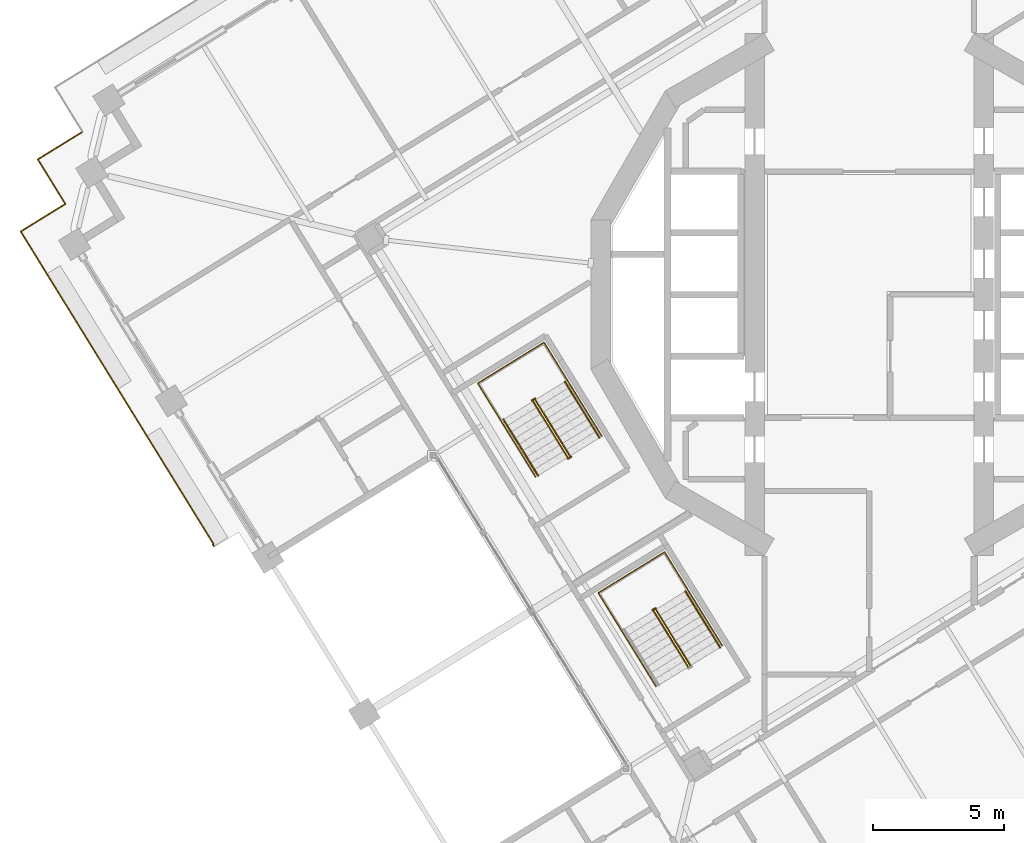
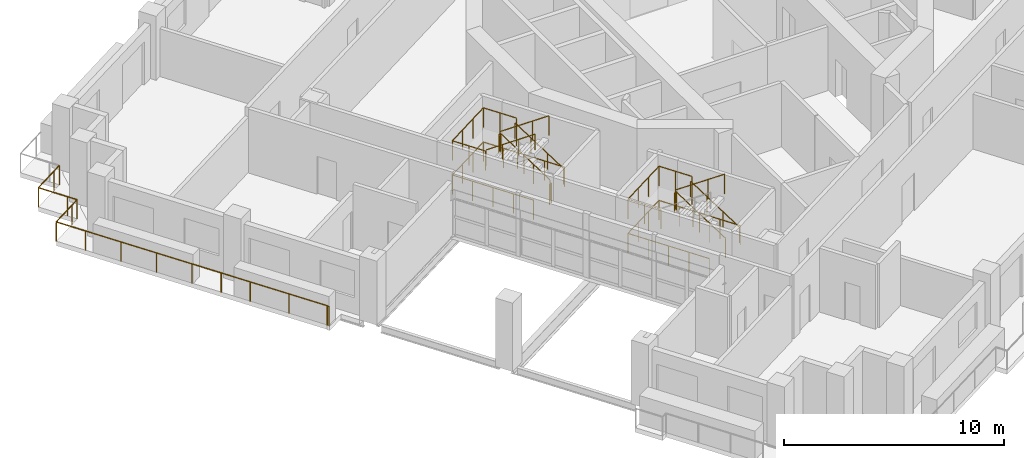
# One storey, part 16 of 22: 13 railings.
"""IFC4 building model written with IfcOpenShell, lengths in metres."""

from ifc_helpers import new_model, si_unit, direction, frame, origin, origin_2d, place, context, subcontext, project, spatial, circle, extrude, material, type_object, element, save


model = new_model("IFC4")

# Units and contexts
model_context = context("Model", 3, precision=1e-05, world=origin(), true_north=direction((0.0, 1.0)))
body_context = subcontext(model_context, "Body", "Model", "MODEL_VIEW")
ifc_project = project(units=[si_unit("LENGTHUNIT", "METRE"), si_unit("AREAUNIT", "SQUARE_METRE"), si_unit("VOLUMEUNIT", "CUBIC_METRE"), si_unit("PLANEANGLEUNIT", "RADIAN"), si_unit("MASSUNIT", "GRAM", prefix="KILO")], contexts=[model_context])

# Site, building, storey
site_placement = place(None, origin())
site = spatial("IfcSite", under=ifc_project, at=site_placement, CompositionType="ELEMENT")
building_placement = place(site_placement, origin())
building = spatial("IfcBuilding", under=site, at=building_placement, Name="Cantera Rosa Tower", CompositionType="ELEMENT")
storey_placement = place(building_placement, frame((0.0, 0.0, 166.60009765625)))
storey = spatial("IfcBuildingStorey", under=building, at=storey_placement, Name="L36", CompositionType="ELEMENT", Elevation=166.60009765625)

# Railings
ifc_material_1 = material(Name="Stainless steel and laminated glass", Category="steel")
railing_type_1 = type_object("IfcRailingType", Name="GUARD 1100", PredefinedType="BALUSTRADE", material=ifc_material_1)
railing_1_placement = place(storey_placement, frame((-25.004150390625, -9.61865234375, 0.0)))
element("IfcRailing", 1, at=railing_1_placement, inside=storey, type_object=railing_type_1, Name="GUARD L36-4", PredefinedType="BALUSTRADE", context=body_context, shape_type="SweptSolid", body=[
    extrude(circle(Radius=0.030029296875, at=origin_2d()), frame((0.0, 0.0, 1.070068359375), z_axis=(-0.524771895301, 0.851242890074, 0.0), x_axis=(-0.851242890074, -0.524771895301, 0.0)), (0.0, 0.0, 1.0), 0.10107421875),
    extrude(circle(Radius=0.030029296875, at=origin_2d()), frame((-0.052978515625, 0.0859375, 1.070068359375), z_axis=(0.849761711822, 0.52716698789, 0.0), x_axis=(-0.52716698789, 0.849761711822, 0.0)), (0.0, 0.0, 1.0), 0.031005859375),
    extrude(circle(Radius=0.030029296875, at=origin_2d()), frame((-0.026611328125, 0.102294921875, 1.070068359375), z_axis=(-0.525005464251, 0.851098855896, 0.0), x_axis=(-0.851098855896, -0.525005464251, 0.0)), (0.0, 0.0, 1.0), 3.989013671875),
    extrude(circle(Radius=0.030029296875, at=origin_2d()), frame((-2.120849609375, 3.497314453125, 1.070068359375), z_axis=(-0.524964362564, 0.851124208349, 0.0), x_axis=(-0.851124208349, -0.524964362564, 0.0)), (0.0, 0.0, 1.0), 3.0),
    extrude(circle(Radius=0.030029296875, at=origin_2d()), frame((-3.69580078125, 6.05078125, 1.070068359375), z_axis=(-0.524968277683, 0.851121793533, 0.0), x_axis=(-0.851121793533, -0.524968277683, 0.0)), (0.0, 0.0, 1.0), 5.519775390625),
    extrude(circle(Radius=0.030029296875, at=origin_2d()), frame((-6.593505859375, 10.748779296875, 1.070068359375), z_axis=(-0.524986950369, 0.851110276017, 0.0), x_axis=(-0.851110276017, -0.524986950369, 0.0)), (0.0, 0.0, 1.0), 1.500244140625),
    extrude(circle(Radius=0.030029296875, at=origin_2d()), frame((-7.381103515625, 12.025634765625, 1.070068359375), z_axis=(0.85118298814, 0.524869051004, 0.0), x_axis=(-0.524869051004, 0.85118298814, 0.0)), (0.0, 0.0, 1.0), 1.5),
    extrude(circle(Radius=0.030029296875, at=origin_2d()), frame((-6.104248046875, 12.81298828125, 1.070068359375), z_axis=(0.851138143202, 0.52494176933, 0.0), x_axis=(-0.52494176933, 0.851138143202, 0.0)), (0.0, 0.0, 1.0), 0.5),
    extrude(circle(Radius=0.030029296875, at=origin_2d()), frame((-5.6787109375, 13.075439453125, 1.070068359375), z_axis=(-0.52494176933, 0.851138143202, 0.0), x_axis=(-0.851138143202, -0.52494176933, 0.0)), (0.0, 0.0, 1.0), 0.5),
    extrude(circle(Radius=0.030029296875, at=origin_2d()), frame((-5.941162109375, 13.5009765625, 1.070068359375), z_axis=(-0.524986950369, 0.851110276017, 0.0), x_axis=(-0.851110276017, -0.524986950369, 0.0)), (0.0, 0.0, 1.0), 1.500244140625),
    extrude(circle(Radius=0.030029296875, at=origin_2d()), frame((-6.728759765625, 14.77783203125, 1.070068359375), z_axis=(0.851138143202, 0.52494176933, 0.0), x_axis=(-0.52494176933, 0.851138143202, 0.0)), (0.0, 0.0, 1.0), 1.5),
    extrude(circle(Radius=0.030029296875, at=origin_2d()), frame((-5.4521484375, 15.565185546875, 1.070068359375), z_axis=(0.851138143202, 0.52494176933, 0.0), x_axis=(-0.52494176933, 0.851138143202, 0.0)), (0.0, 0.0, 1.0), 0.5),
    extrude(circle(Radius=0.02490234375, at=origin_2d()), origin(), (0.0, 0.0, 1.0), 1.0400390625),
    extrude(circle(Radius=0.02490234375, at=origin_2d()), frame((-0.052978515625, 0.0859375, 0.0)), (0.0, 0.0, 1.0), 1.0400390625),
    extrude(circle(Radius=0.02490234375, at=origin_2d()), frame((-0.026611328125, 0.102294921875, 0.0)), (0.0, 0.0, 1.0), 1.0400390625),
    extrude(circle(Radius=0.02490234375, at=origin_2d()), frame((-1.07373046875, 1.7998046875, 0.0)), (0.0, 0.0, 1.0), 1.0400390625),
    extrude(circle(Radius=0.02490234375, at=origin_2d()), frame((-2.120849609375, 3.497314453125, 0.0)), (0.0, 0.0, 1.0), 1.0400390625),
    extrude(circle(Radius=0.02490234375, at=origin_2d()), frame((-2.908203125, 4.77392578125, 0.0)), (0.0, 0.0, 1.0), 1.0400390625),
    extrude(circle(Radius=0.02490234375, at=origin_2d()), frame((-3.69580078125, 6.05078125, 0.0)), (0.0, 0.0, 1.0), 1.0400390625),
    extrude(circle(Radius=0.02490234375, at=origin_2d()), frame((-4.66162109375, 7.61669921875, 0.0)), (0.0, 0.0, 1.0), 1.0400390625),
    extrude(circle(Radius=0.02490234375, at=origin_2d()), frame((-5.627685546875, 9.182861328125, 0.0)), (0.0, 0.0, 1.0), 1.0400390625),
    extrude(circle(Radius=0.02490234375, at=origin_2d()), frame((-6.593505859375, 10.748779296875, 0.0)), (0.0, 0.0, 1.0), 1.0400390625),
    extrude(circle(Radius=0.02490234375, at=origin_2d()), frame((-7.381103515625, 12.025634765625, 0.0)), (0.0, 0.0, 1.0), 1.0400390625),
    extrude(circle(Radius=0.02490234375, at=origin_2d()), frame((-6.104248046875, 12.81298828125, 0.0)), (0.0, 0.0, 1.0), 1.0400390625),
    extrude(circle(Radius=0.02490234375, at=origin_2d()), frame((-5.6787109375, 13.075439453125, 0.0)), (0.0, 0.0, 1.0), 1.0400390625),
    extrude(circle(Radius=0.02490234375, at=origin_2d()), frame((-5.941162109375, 13.5009765625, 0.0)), (0.0, 0.0, 1.0), 1.0400390625),
    extrude(circle(Radius=0.02490234375, at=origin_2d()), frame((-6.728759765625, 14.77783203125, 0.0)), (0.0, 0.0, 1.0), 1.0400390625),
    extrude(circle(Radius=0.02490234375, at=origin_2d()), frame((-5.4521484375, 15.565185546875, 0.0)), (0.0, 0.0, 1.0), 1.0400390625),
    extrude(circle(Radius=0.02490234375, at=origin_2d()), frame((-5.026611328125, 15.82763671875, 0.0)), (0.0, 0.0, 1.0), 1.0400390625),
])
ifc_material_2 = material(Name="Steel S355J2 (EN 10025-2)", Category="steel")
railing_type_2 = type_object("IfcRailingType", Name="STAIR GUARD 1100", PredefinedType="GUARDRAIL", material=ifc_material_2)
railing_2_placement = place(storey_placement, frame((-11.42333984375, -6.165771484375, 0.18994140625)))
element("IfcRailing", 2, at=railing_2_placement, inside=storey, type_object=railing_type_2, Name="L36 ST-32 stair guard 1", PredefinedType="GUARDRAIL", context=body_context, shape_type="SweptSolid", body=[
    extrude(circle(Radius=0.02392578125, at=origin_2d()), frame((0.0, 0.0, 1.076171875), z_axis=(-0.434427613125, 0.704271375033, 0.561493080334), x_axis=(-0.851102330005, -0.524999832248, 0.0)), (0.0, 0.0, 1.0), 3.04541015625),
    extrude(circle(Radius=0.02392578125, at=origin_2d()), frame((-1.322998046875, 2.144775390625, 2.7861328125), z_axis=(-0.073711968402, 0.997279572494, 0.0), x_axis=(-0.997279572494, -0.073711968402, 0.0)), (0.0, 0.0, 1.0), 0.056396484375),
    extrude(circle(Radius=0.02392578125, at=origin_2d()), frame((-1.3271484375, 2.200927734375, 2.7861328125), z_axis=(-0.851546489876, -0.524279100842, 0.0), x_axis=(0.524279100842, -0.851546489876, 0.0)), (0.0, 0.0, 1.0), 0.14990234375),
    extrude(circle(Radius=0.02099609375, at=origin_2d()), origin(), (0.0, 0.0, 1.0), 1.052001953125),
    extrude(circle(Radius=0.02099609375, at=origin_2d()), frame((-0.44091796875, 0.71484375, 0.570068359375)), (0.0, 0.0, 1.0), 1.052001953125),
    extrude(circle(Radius=0.02099609375, at=origin_2d()), frame((-0.882080078125, 1.429931640625, 1.139892578125)), (0.0, 0.0, 1.0), 1.052001953125),
    extrude(circle(Radius=0.02099609375, at=origin_2d()), frame((-1.322998046875, 2.144775390625, 1.7099609375)), (0.0, 0.0, 1.0), 1.052001953125),
    extrude(circle(Radius=0.02099609375, at=origin_2d()), frame((-1.3271484375, 2.200927734375, 1.7099609375)), (0.0, 0.0, 1.0), 1.052001953125),
    extrude(circle(Radius=0.02099609375, at=origin_2d()), frame((-1.454833984375, 2.122314453125, 1.7099609375)), (0.0, 0.0, 1.0), 1.052001953125),
])
railing_3_placement = place(storey_placement, frame((-12.82958984375, -4.072509765625, 2.08984375)))
element("IfcRailing", 3, at=railing_3_placement, inside=storey, type_object=railing_type_2, Name="L36 ST-32 stair guard 2", PredefinedType="GUARDRAIL", context=body_context, shape_type="SweptSolid", body=[
    extrude(circle(Radius=0.02392578125, at=origin_2d()), frame((0.0, 0.0, 1.076171875), z_axis=(0.434362572038, -0.70429590169, 0.561512634654), x_axis=(0.851145618652, 0.524929648476, 0.0)), (0.0, 0.0, 1.0), 3.045166015625),
    extrude(circle(Radius=0.02099609375, at=origin_2d()), origin(), (0.0, 0.0, 1.0), 1.052001953125),
    extrude(circle(Radius=0.02099609375, at=origin_2d()), frame((0.44091796875, -0.71484375, 0.570068359375)), (0.0, 0.0, 1.0), 1.052001953125),
    extrude(circle(Radius=0.02099609375, at=origin_2d()), frame((0.8818359375, -1.429931640625, 1.139892578125)), (0.0, 0.0, 1.0), 1.052001953125),
    extrude(circle(Radius=0.02099609375, at=origin_2d()), frame((1.32275390625, -2.144775390625, 1.7099609375)), (0.0, 0.0, 1.0), 1.052001953125),
])
railing_4_placement = place(storey_placement, frame((-11.375, -6.19482421875, 0.0)))
element("IfcRailing", 4, at=railing_4_placement, inside=storey, type_object=railing_type_2, Name="L36 ST-32 stair guard 3", PredefinedType="GUARDRAIL", context=body_context, shape_type="SweptSolid", body=[
    extrude(circle(Radius=0.02392578125, at=origin_2d()), frame((0.0, 0.0, 1.076171875), z_axis=(-0.851546489876, -0.524279100842, 0.0), x_axis=(0.524279100842, -0.851546489876, 0.0)), (0.0, 0.0, 1.0), 0.14990234375),
    extrude(circle(Radius=0.02099609375, at=origin_2d()), origin(), (0.0, 0.0, 1.0), 1.052001953125),
    extrude(circle(Radius=0.02099609375, at=origin_2d()), frame((-0.127685546875, -0.07861328125, 0.0)), (0.0, 0.0, 1.0), 1.052001953125),
])
railing_5_placement = place(storey_placement, frame((-10.20751953125, -5.40185546875, 0.0)))
element("IfcRailing", 5, at=railing_5_placement, inside=storey, type_object=railing_type_2, Name="L36 ST-32 stair guard 4", PredefinedType="GUARDRAIL", context=body_context, shape_type="SweptSolid", body=[
    extrude(circle(Radius=0.02392578125, at=origin_2d()), frame((0.0, 0.0, 1.076171875), z_axis=(-0.524976478809, 0.851116735059, 0.0), x_axis=(-0.851116735059, -0.524976478809, 0.0)), (0.0, 0.0, 1.0), 4.197998046875),
    extrude(circle(Radius=0.02392578125, at=origin_2d()), frame((-2.203857421875, 3.572998046875, 1.076171875), z_axis=(-0.851132917336, -0.524950242429, 0.0), x_axis=(0.524950242429, -0.851132917336, 0.0)), (0.0, 0.0, 1.0), 2.969970703125),
    extrude(circle(Radius=0.02392578125, at=origin_2d()), frame((-4.731689453125, 2.013916015625, 1.076171875), z_axis=(0.524976478809, -0.851116735059, 0.0), x_axis=(0.851116735059, 0.524976478809, 0.0)), (0.0, 0.0, 1.0), 4.197998046875),
    extrude(circle(Radius=0.02099609375, at=origin_2d()), origin(), (0.0, 0.0, 1.0), 1.052001953125),
    extrude(circle(Radius=0.02099609375, at=origin_2d()), frame((-0.551025390625, 0.893310546875, 0.0)), (0.0, 0.0, 1.0), 1.052001953125),
    extrude(circle(Radius=0.02099609375, at=origin_2d()), frame((-1.10205078125, 1.78662109375, 0.0)), (0.0, 0.0, 1.0), 1.052001953125),
    extrude(circle(Radius=0.02099609375, at=origin_2d()), frame((-1.65283203125, 2.6796875, 0.0)), (0.0, 0.0, 1.0), 1.052001953125),
    extrude(circle(Radius=0.02099609375, at=origin_2d()), frame((-2.203857421875, 3.572998046875, 0.0)), (0.0, 0.0, 1.0), 1.052001953125),
    extrude(circle(Radius=0.02099609375, at=origin_2d()), frame((-3.04638671875, 3.05322265625, 0.0)), (0.0, 0.0, 1.0), 1.052001953125),
    extrude(circle(Radius=0.02099609375, at=origin_2d()), frame((-3.88916015625, 2.53369140625, 0.0)), (0.0, 0.0, 1.0), 1.052001953125),
    extrude(circle(Radius=0.02099609375, at=origin_2d()), frame((-4.731689453125, 2.013916015625, 0.0)), (0.0, 0.0, 1.0), 1.052001953125),
    extrude(circle(Radius=0.02099609375, at=origin_2d()), frame((-4.1806640625, 1.12060546875, 0.0)), (0.0, 0.0, 1.0), 1.052001953125),
    extrude(circle(Radius=0.02099609375, at=origin_2d()), frame((-3.6298828125, 0.2275390625, 0.0)), (0.0, 0.0, 1.0), 1.052001953125),
    extrude(circle(Radius=0.02099609375, at=origin_2d()), frame((-3.078857421875, -0.665771484375, 0.0)), (0.0, 0.0, 1.0), 1.052001953125),
    extrude(circle(Radius=0.02099609375, at=origin_2d()), frame((-2.52783203125, -1.55908203125, 0.0)), (0.0, 0.0, 1.0), 1.052001953125),
])
railing_6_placement = place(storey_placement, frame((-11.517822265625, -3.27734375, 1.89990234375)))
element("IfcRailing", 6, at=railing_6_placement, inside=storey, type_object=railing_type_2, Name="L36 ST-32 stair guard 5", PredefinedType="GUARDRAIL", context=body_context, shape_type="SweptSolid", body=[
    extrude(circle(Radius=0.02392578125, at=origin_2d()), frame((0.0, 0.0, 1.076171875), z_axis=(-0.525025534833, 0.851086474909, 0.0), x_axis=(-0.851086474909, -0.525025534833, 0.0)), (0.0, 0.0, 1.0), 1.701904296875),
    extrude(circle(Radius=0.02392578125, at=origin_2d()), frame((-0.8935546875, 1.448486328125, 1.076171875), z_axis=(-0.851132917336, -0.524950242429, 0.0), x_axis=(0.524950242429, -0.851132917336, 0.0)), (0.0, 0.0, 1.0), 2.969970703125),
    extrude(circle(Radius=0.02392578125, at=origin_2d()), frame((-3.42138671875, -0.110595703125, 1.076171875), z_axis=(0.524961441845, -0.851126009811, 0.0), x_axis=(0.851126009811, 0.524961441845, 0.0)), (0.0, 0.0, 1.0), 1.7021484375),
    extrude(circle(Radius=0.02099609375, at=origin_2d()), origin(), (0.0, 0.0, 1.0), 1.052001953125),
    extrude(circle(Radius=0.02099609375, at=origin_2d()), frame((-0.44677734375, 0.72412109375, 0.0)), (0.0, 0.0, 1.0), 1.052001953125),
    extrude(circle(Radius=0.02099609375, at=origin_2d()), frame((-0.8935546875, 1.448486328125, 0.0)), (0.0, 0.0, 1.0), 1.052001953125),
    extrude(circle(Radius=0.02099609375, at=origin_2d()), frame((-1.736083984375, 0.9287109375, 0.0)), (0.0, 0.0, 1.0), 1.052001953125),
    extrude(circle(Radius=0.02099609375, at=origin_2d()), frame((-2.578857421875, 0.4091796875, 0.0)), (0.0, 0.0, 1.0), 1.052001953125),
    extrude(circle(Radius=0.02099609375, at=origin_2d()), frame((-3.42138671875, -0.110595703125, 0.0)), (0.0, 0.0, 1.0), 1.052001953125),
    extrude(circle(Radius=0.02099609375, at=origin_2d()), frame((-2.974609375, -0.8349609375, 0.0)), (0.0, 0.0, 1.0), 1.052001953125),
    extrude(circle(Radius=0.02099609375, at=origin_2d()), frame((-2.52783203125, -1.559326171875, 0.0)), (0.0, 0.0, 1.0), 1.052001953125),
])
railing_7_placement = place(storey_placement, frame((-6.8232421875, -14.165771484375, 0.18994140625)))
element("IfcRailing", 7, at=railing_7_placement, inside=storey, type_object=railing_type_2, Name="L36 ST-33 stair guard 1", PredefinedType="GUARDRAIL", context=body_context, shape_type="SweptSolid", body=[
    extrude(circle(Radius=0.02392578125, at=origin_2d()), frame((0.0, 0.0, 1.076171875), z_axis=(-0.434427613125, 0.704271375033, 0.561493080334), x_axis=(-0.851102330005, -0.524999832248, 0.0)), (0.0, 0.0, 1.0), 3.04541015625),
    extrude(circle(Radius=0.02392578125, at=origin_2d()), frame((-1.322998046875, 2.144775390625, 2.7861328125), z_axis=(-0.073711968402, 0.997279572494, 0.0), x_axis=(-0.997279572494, -0.073711968402, 0.0)), (0.0, 0.0, 1.0), 0.056396484375),
    extrude(circle(Radius=0.02392578125, at=origin_2d()), frame((-1.3271484375, 2.200927734375, 2.7861328125), z_axis=(-0.851546489876, -0.524279100842, 0.0), x_axis=(0.524279100842, -0.851546489876, 0.0)), (0.0, 0.0, 1.0), 0.14990234375),
    extrude(circle(Radius=0.02099609375, at=origin_2d()), origin(), (0.0, 0.0, 1.0), 1.052001953125),
    extrude(circle(Radius=0.02099609375, at=origin_2d()), frame((-0.44091796875, 0.71484375, 0.570068359375)), (0.0, 0.0, 1.0), 1.052001953125),
    extrude(circle(Radius=0.02099609375, at=origin_2d()), frame((-0.882080078125, 1.429931640625, 1.139892578125)), (0.0, 0.0, 1.0), 1.052001953125),
    extrude(circle(Radius=0.02099609375, at=origin_2d()), frame((-1.322998046875, 2.144775390625, 1.7099609375)), (0.0, 0.0, 1.0), 1.052001953125),
    extrude(circle(Radius=0.02099609375, at=origin_2d()), frame((-1.3271484375, 2.200927734375, 1.7099609375)), (0.0, 0.0, 1.0), 1.052001953125),
    extrude(circle(Radius=0.02099609375, at=origin_2d()), frame((-1.454833984375, 2.122314453125, 1.7099609375)), (0.0, 0.0, 1.0), 1.052001953125),
])
railing_8_placement = place(storey_placement, frame((-8.229736328125, -12.072509765625, 2.08984375)))
element("IfcRailing", 8, at=railing_8_placement, inside=storey, type_object=railing_type_2, Name="L36 ST-33 stair guard 2", PredefinedType="GUARDRAIL", context=body_context, shape_type="SweptSolid", body=[
    extrude(circle(Radius=0.02392578125, at=origin_2d()), frame((0.0, 0.0, 1.076171875), z_axis=(0.434427613125, -0.704271375033, 0.561493080334), x_axis=(0.851102330005, 0.524999832248, 0.0)), (0.0, 0.0, 1.0), 3.04541015625),
    extrude(circle(Radius=0.02099609375, at=origin_2d()), origin(), (0.0, 0.0, 1.0), 1.052001953125),
    extrude(circle(Radius=0.02099609375, at=origin_2d()), frame((0.44091796875, -0.71484375, 0.570068359375)), (0.0, 0.0, 1.0), 1.052001953125),
    extrude(circle(Radius=0.02099609375, at=origin_2d()), frame((0.882080078125, -1.429931640625, 1.139892578125)), (0.0, 0.0, 1.0), 1.052001953125),
    extrude(circle(Radius=0.02099609375, at=origin_2d()), frame((1.322998046875, -2.144775390625, 1.7099609375)), (0.0, 0.0, 1.0), 1.052001953125),
])
railing_9_placement = place(storey_placement, frame((-5.607421875, -13.40185546875, 0.0)))
element("IfcRailing", 9, at=railing_9_placement, inside=storey, type_object=railing_type_2, Name="L36 ST-33 stair guard 4", PredefinedType="GUARDRAIL", context=body_context, shape_type="SweptSolid", body=[
    extrude(circle(Radius=0.02392578125, at=origin_2d()), frame((0.0, 0.0, 1.076171875), z_axis=(-0.524976478809, 0.851116735059, 0.0), x_axis=(-0.851116735059, -0.524976478809, 0.0)), (0.0, 0.0, 1.0), 4.197998046875),
    extrude(circle(Radius=0.02392578125, at=origin_2d()), frame((-2.203857421875, 3.572998046875, 1.076171875), z_axis=(-0.851132917336, -0.524950242429, 0.0), x_axis=(0.524950242429, -0.851132917336, 0.0)), (0.0, 0.0, 1.0), 2.969970703125),
    extrude(circle(Radius=0.02392578125, at=origin_2d()), frame((-4.731689453125, 2.013916015625, 1.076171875), z_axis=(0.524976478809, -0.851116735059, 0.0), x_axis=(0.851116735059, 0.524976478809, 0.0)), (0.0, 0.0, 1.0), 4.197998046875),
    extrude(circle(Radius=0.02099609375, at=origin_2d()), origin(), (0.0, 0.0, 1.0), 1.052001953125),
    extrude(circle(Radius=0.02099609375, at=origin_2d()), frame((-0.551025390625, 0.893310546875, 0.0)), (0.0, 0.0, 1.0), 1.052001953125),
    extrude(circle(Radius=0.02099609375, at=origin_2d()), frame((-1.10205078125, 1.78662109375, 0.0)), (0.0, 0.0, 1.0), 1.052001953125),
    extrude(circle(Radius=0.02099609375, at=origin_2d()), frame((-1.65283203125, 2.6796875, 0.0)), (0.0, 0.0, 1.0), 1.052001953125),
    extrude(circle(Radius=0.02099609375, at=origin_2d()), frame((-2.203857421875, 3.572998046875, 0.0)), (0.0, 0.0, 1.0), 1.052001953125),
    extrude(circle(Radius=0.02099609375, at=origin_2d()), frame((-3.04638671875, 3.05322265625, 0.0)), (0.0, 0.0, 1.0), 1.052001953125),
    extrude(circle(Radius=0.02099609375, at=origin_2d()), frame((-3.88916015625, 2.53369140625, 0.0)), (0.0, 0.0, 1.0), 1.052001953125),
    extrude(circle(Radius=0.02099609375, at=origin_2d()), frame((-4.731689453125, 2.013916015625, 0.0)), (0.0, 0.0, 1.0), 1.052001953125),
    extrude(circle(Radius=0.02099609375, at=origin_2d()), frame((-4.1806640625, 1.12060546875, 0.0)), (0.0, 0.0, 1.0), 1.052001953125),
    extrude(circle(Radius=0.02099609375, at=origin_2d()), frame((-3.6298828125, 0.2275390625, 0.0)), (0.0, 0.0, 1.0), 1.052001953125),
    extrude(circle(Radius=0.02099609375, at=origin_2d()), frame((-3.078857421875, -0.665771484375, 0.0)), (0.0, 0.0, 1.0), 1.052001953125),
    extrude(circle(Radius=0.02099609375, at=origin_2d()), frame((-2.52783203125, -1.55908203125, 0.0)), (0.0, 0.0, 1.0), 1.052001953125),
])
railing_10_placement = place(storey_placement, frame((-6.917724609375, -11.27734375, 1.89990234375)))
element("IfcRailing", 10, at=railing_10_placement, inside=storey, type_object=railing_type_2, Name="L36 ST-33 stair guard 5", PredefinedType="GUARDRAIL", context=body_context, shape_type="SweptSolid", body=[
    extrude(circle(Radius=0.02392578125, at=origin_2d()), frame((0.0, 0.0, 1.076171875), z_axis=(-0.525025534833, 0.851086474909, 0.0), x_axis=(-0.851086474909, -0.525025534833, 0.0)), (0.0, 0.0, 1.0), 1.701904296875),
    extrude(circle(Radius=0.02392578125, at=origin_2d()), frame((-0.8935546875, 1.448486328125, 1.076171875), z_axis=(-0.851132917336, -0.524950242429, 0.0), x_axis=(0.524950242429, -0.851132917336, 0.0)), (0.0, 0.0, 1.0), 2.969970703125),
    extrude(circle(Radius=0.02392578125, at=origin_2d()), frame((-3.42138671875, -0.110595703125, 1.076171875), z_axis=(0.524961441845, -0.851126009811, 0.0), x_axis=(0.851126009811, 0.524961441845, 0.0)), (0.0, 0.0, 1.0), 1.7021484375),
    extrude(circle(Radius=0.02099609375, at=origin_2d()), origin(), (0.0, 0.0, 1.0), 1.052001953125),
    extrude(circle(Radius=0.02099609375, at=origin_2d()), frame((-0.44677734375, 0.72412109375, 0.0)), (0.0, 0.0, 1.0), 1.052001953125),
    extrude(circle(Radius=0.02099609375, at=origin_2d()), frame((-0.8935546875, 1.448486328125, 0.0)), (0.0, 0.0, 1.0), 1.052001953125),
    extrude(circle(Radius=0.02099609375, at=origin_2d()), frame((-1.736083984375, 0.9287109375, 0.0)), (0.0, 0.0, 1.0), 1.052001953125),
    extrude(circle(Radius=0.02099609375, at=origin_2d()), frame((-2.578857421875, 0.4091796875, 0.0)), (0.0, 0.0, 1.0), 1.052001953125),
    extrude(circle(Radius=0.02099609375, at=origin_2d()), frame((-3.42138671875, -0.110595703125, 0.0)), (0.0, 0.0, 1.0), 1.052001953125),
    extrude(circle(Radius=0.02099609375, at=origin_2d()), frame((-2.974609375, -0.8349609375, 0.0)), (0.0, 0.0, 1.0), 1.052001953125),
    extrude(circle(Radius=0.02099609375, at=origin_2d()), frame((-2.52783203125, -1.559326171875, 0.0)), (0.0, 0.0, 1.0), 1.052001953125),
])
ifc_material_3 = material(Name="Steel S355J2 (EN 10025-2)", Category="steel")
railing_type_3 = type_object("IfcRailingType", Name="STAIR HANDRAIL 900", PredefinedType="HANDRAIL", material=ifc_material_3)
railing_11_placement = place(storey_placement, frame((-10.294677734375, -5.4697265625, 0.18994140625)))
element("IfcRailing", 11, at=railing_11_placement, inside=storey, type_object=railing_type_3, Name="L36 ST-32 stair handrail 1", PredefinedType="HANDRAIL", context=body_context, shape_type="SweptSolid", body=[
    extrude(circle(Radius=0.02392578125, at=origin_2d()), frame((0.0, 0.0, 0.8759765625), z_axis=(-0.434427613125, 0.704271375033, 0.561493080334), x_axis=(-0.851102330005, -0.524999832248, 0.0)), (0.0, 0.0, 1.0), 3.04541015625),
    extrude(circle(Radius=0.02099609375, at=origin_2d()), origin(), (0.0, 0.0, 1.0), 0.851806640625),
    extrude(circle(Radius=0.02099609375, at=origin_2d()), frame((-0.44091796875, 0.71484375, 0.570068359375)), (0.0, 0.0, 1.0), 0.851806640625),
    extrude(circle(Radius=0.02099609375, at=origin_2d()), frame((-0.882080078125, 1.429931640625, 1.139892578125)), (0.0, 0.0, 1.0), 0.851806640625),
    extrude(circle(Radius=0.02099609375, at=origin_2d()), frame((-1.322998046875, 2.144775390625, 1.7099609375)), (0.0, 0.0, 1.0), 0.851806640625),
])
railing_12_placement = place(storey_placement, frame((-13.958251953125, -4.7685546875, 2.08984375)))
element("IfcRailing", 12, at=railing_12_placement, inside=storey, type_object=railing_type_3, Name="L36 ST-32 stair handrail 2", PredefinedType="HANDRAIL", context=body_context, shape_type="SweptSolid", body=[
    extrude(circle(Radius=0.02392578125, at=origin_2d()), frame((0.0, 0.0, 0.8759765625), z_axis=(0.434427613125, -0.704271375033, 0.561493080334), x_axis=(0.851102330005, 0.524999832248, 0.0)), (0.0, 0.0, 1.0), 3.04541015625),
    extrude(circle(Radius=0.02099609375, at=origin_2d()), origin(), (0.0, 0.0, 1.0), 0.851806640625),
    extrude(circle(Radius=0.02099609375, at=origin_2d()), frame((0.44091796875, -0.71484375, 0.570068359375)), (0.0, 0.0, 1.0), 0.851806640625),
    extrude(circle(Radius=0.02099609375, at=origin_2d()), frame((0.882080078125, -1.429931640625, 1.139892578125)), (0.0, 0.0, 1.0), 0.851806640625),
    extrude(circle(Radius=0.02099609375, at=origin_2d()), frame((1.322998046875, -2.144775390625, 1.7099609375)), (0.0, 0.0, 1.0), 0.851806640625),
])
railing_13_placement = place(storey_placement, frame((-5.69482421875, -13.4697265625, 0.18994140625)))
element("IfcRailing", 13, at=railing_13_placement, inside=storey, type_object=railing_type_3, Name="L36 ST-33 stair handrail 1", PredefinedType="HANDRAIL", context=body_context, shape_type="SweptSolid", body=[
    extrude(circle(Radius=0.02392578125, at=origin_2d()), frame((0.0, 0.0, 0.8759765625), z_axis=(-0.434362572038, 0.70429590169, 0.561512634654), x_axis=(-0.851145618652, -0.524929648476, 0.0)), (0.0, 0.0, 1.0), 3.045166015625),
    extrude(circle(Radius=0.02099609375, at=origin_2d()), origin(), (0.0, 0.0, 1.0), 0.851806640625),
    extrude(circle(Radius=0.02099609375, at=origin_2d()), frame((-0.44091796875, 0.71484375, 0.570068359375)), (0.0, 0.0, 1.0), 0.851806640625),
    extrude(circle(Radius=0.02099609375, at=origin_2d()), frame((-0.8818359375, 1.429931640625, 1.139892578125)), (0.0, 0.0, 1.0), 0.851806640625),
    extrude(circle(Radius=0.02099609375, at=origin_2d()), frame((-1.32275390625, 2.144775390625, 1.7099609375)), (0.0, 0.0, 1.0), 0.851806640625),
])

save(model, "model.ifc")
